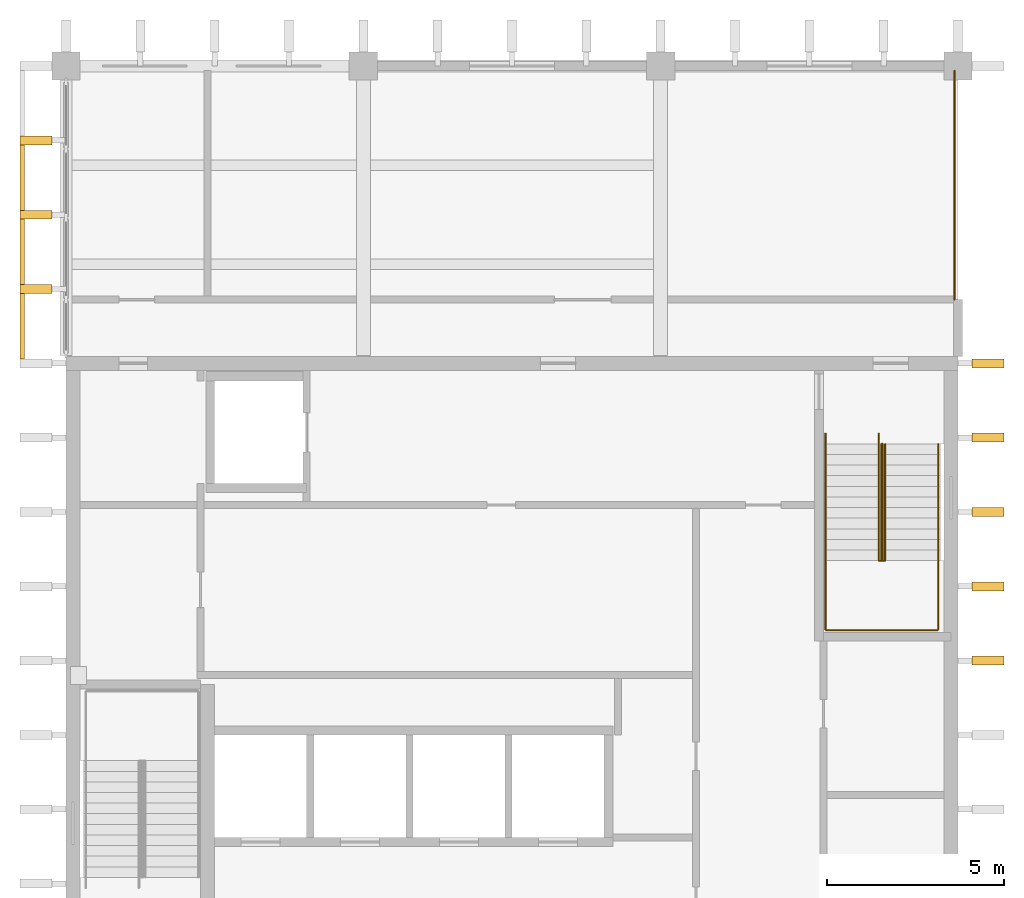
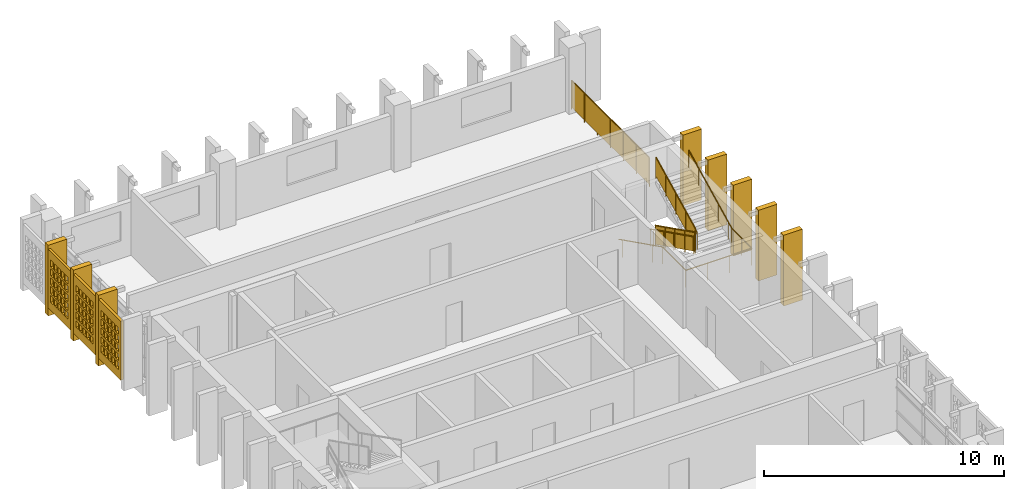
# One storey, part 11 of 13: 11 shading devices, 5 railings, 3 openings.
"""IFC4 building model written with IfcOpenShell, lengths in metres."""

from ifc_helpers import new_model, si_unit, direction, frame, origin, origin_2d, place, context, subcontext, project, spatial, polyline, rectangle, circle, outline, extrude, material, layer, layer_set, material_profile, profile_set, type_object, element, save


model = new_model("IFC4")

# Units and contexts
model_context = context("Model", 3, precision=1e-05, world=origin(), true_north=direction((0.0, 1.0)))
body_context = subcontext(model_context, "Body", "Model", "MODEL_VIEW")
ifc_project = project(units=[si_unit("LENGTHUNIT", "METRE"), si_unit("AREAUNIT", "SQUARE_METRE"), si_unit("VOLUMEUNIT", "CUBIC_METRE"), si_unit("PLANEANGLEUNIT", "RADIAN"), si_unit("MASSUNIT", "GRAM", prefix="KILO")], contexts=[model_context])

# Site, building, storey
site_placement = place(None, origin())
site = spatial("IfcSite", under=ifc_project, at=site_placement, CompositionType="ELEMENT")
building_placement = place(site_placement, origin())
building = spatial("IfcBuilding", under=site, at=building_placement, Name="Rulbaag Community and Learning Centre", CompositionType="ELEMENT")
storey_placement = place(building_placement, frame((0.0, 0.0, 39.60009765625)))
storey = spatial("IfcBuildingStorey", under=building, at=storey_placement, Name="L10", CompositionType="ELEMENT", Elevation=39.60009765625)

# Shading devices
ifc_material_1 = material(Name="Concrete M40", Category="concrete")
ifc_material_profile = material_profile(ifc_material_1, rectangle(XDim=0.25, YDim=0.89990234375, at=origin_2d()), Name="PC 250x900")
ifc_profile_set = profile_set([ifc_material_profile], Name="Concrete M40")
shading_device_type_1 = type_object("IfcShadingDeviceType", Name="FIN-H", PredefinedType="JALOUSIE", material=ifc_profile_set)
for number, where, z_axis, x_axis, name in (
    (1, (141.949951171875, 111.300048828125, 0.0), (0.0, 0.0, 1.0), (0.0, 1.0, 0.0), "Precast fin"),
    (2, (141.949951171875, 113.39990234375, 0.0), (0.0, 0.0, 1.0), (0.0, 1.0, 0.0), "Precast fin"),
    (3, (141.949951171875, 115.5, 0.0), (0.0, 0.0, 1.0), (0.0, 1.0, 0.0), "Precast fin"),
    (4, (168.85009765625, 100.800048828125, 0.0), (0.0, 0.0, 1.0), (0.0, 1.0, 0.0), "Precast fin"),
    (5, (168.85009765625, 102.89990234375, 0.0), (0.0, 0.0, 1.0), (0.0, 1.0, 0.0), "Precast fin"),
    (6, (168.85009765625, 105.0, 0.0), (0.0, 0.0, 1.0), (0.0, 1.0, 0.0), "Precast fin"),
    (7, (168.85009765625, 107.10009765625, 0.0), (0.0, 0.0, 1.0), (0.0, 1.0, 0.0), "Precast fin"),
    (8, (168.85009765625, 109.199951171875, 0.0), (0.0, 0.0, 1.0), (0.0, 1.0, 0.0), "Precast fin"),
):
    element("IfcShadingDevice", number, at=place(storey_placement, frame(where, z_axis=z_axis, x_axis=x_axis)), inside=storey, type_object=shading_device_type_1, Name=name, PredefinedType="JALOUSIE", context=body_context, shape_type="SweptSolid", body=[
        extrude(rectangle(XDim=0.25, YDim=0.89990234375, at=origin_2d()), origin(), (0.0, 0.0, 1.0), 3.599853515625),
    ])

# Railings
ifc_material_2 = material(Name="Galvanised mild steel", Category="steel")
railing_type_1 = type_object("IfcRailingType", Name="GR-1100 GUARD 1100", PredefinedType="GUARDRAIL", material=ifc_material_2)
railing_1_placement = place(storey_placement, frame((165.830078125, 106.925048828125, 0.14990234375)))
element("IfcRailing", 9, at=railing_1_placement, inside=storey, type_object=railing_type_1, Name="Guard ST2 L10 G", PredefinedType="GUARDRAIL", context=body_context, shape_type="SweptSolid", body=[
    extrude(circle(Radius=0.02490234375, at=origin_2d()), frame((0.0, 0.0, 1.0751953125), z_axis=(0.0, -0.894440424912, 0.447187126696), x_axis=(1.0, 0.0, 0.0)), (0.0, 0.0, 1.0), 3.689453125),
    extrude(circle(Radius=0.02001953125, at=origin_2d()), origin(), (0.0, 0.0, 1.0), 1.050048828125),
    extrude(circle(Radius=0.02001953125, at=origin_2d()), frame((0.0, -0.824951171875, 0.41259765625)), (0.0, 0.0, 1.0), 1.050048828125),
    extrude(circle(Radius=0.02001953125, at=origin_2d()), frame((0.0, -1.64990234375, 0.824951171875)), (0.0, 0.0, 1.0), 1.050048828125),
    extrude(circle(Radius=0.02001953125, at=origin_2d()), frame((0.0, -2.47509765625, 1.2373046875)), (0.0, 0.0, 1.0), 1.050048828125),
    extrude(circle(Radius=0.02001953125, at=origin_2d()), frame((0.0, -3.300048828125, 1.64990234375)), (0.0, 0.0, 1.0), 1.050048828125),
    extrude(outline(polyline([(0.0, 0.0), (3.300048828125, 1.64990234375), (3.300048828125, 2.599853515625), (0.0, 0.949951171875), (0.0, 0.0)])), frame((0.0048828125, 0.0, 0.10009765625), z_axis=(-1.0, 0.0, 0.0), x_axis=(0.0, -1.0, 0.0)), (0.0, 0.0, 1.0), 0.010009765625),
])
railing_2_placement = place(storey_placement, frame((165.8701171875, 103.625, 1.949951171875)))
element("IfcRailing", 10, at=railing_2_placement, inside=storey, type_object=railing_type_1, Name="Guard ST2 L10 G2", PredefinedType="GUARDRAIL", context=body_context, shape_type="SweptSolid", body=[
    extrude(circle(Radius=0.02490234375, at=origin_2d()), frame((0.0, 0.0, 1.0751953125), z_axis=(0.0, 0.894440424912, 0.447187126696), x_axis=(-1.0, 0.0, 0.0)), (0.0, 0.0, 1.0), 3.689453125),
    extrude(circle(Radius=0.02001953125, at=origin_2d()), origin(), (0.0, 0.0, 1.0), 1.050048828125),
    extrude(circle(Radius=0.02001953125, at=origin_2d()), frame((0.0, 0.824951171875, 0.41259765625)), (0.0, 0.0, 1.0), 1.050048828125),
    extrude(circle(Radius=0.02001953125, at=origin_2d()), frame((0.0, 1.64990234375, 0.824951171875)), (0.0, 0.0, 1.0), 1.050048828125),
    extrude(circle(Radius=0.02001953125, at=origin_2d()), frame((0.0, 2.47509765625, 1.2373046875)), (0.0, 0.0, 1.0), 1.050048828125),
    extrude(circle(Radius=0.02001953125, at=origin_2d()), frame((0.0, 3.300048828125, 1.64990234375)), (0.0, 0.0, 1.0), 1.050048828125),
    extrude(outline(polyline([(0.0, 0.0), (3.300048828125, 1.64990234375), (3.300048828125, 2.599853515625), (0.0, 0.949951171875), (0.0, 0.0)])), frame((-0.0048828125, 0.0, 0.10009765625), z_axis=(1.0, 0.0, 0.0), x_axis=(0.0, 1.0, 0.0)), (0.0, 0.0, 1.0), 0.010009765625),
])
ifc_material_3 = material(Name="Stainless steel grade 316", Category="steel")
railing_type_2 = type_object("IfcRailingType", Name="HR-900 HANDRAIL 900", PredefinedType="HANDRAIL", material=ifc_material_3)
railing_3_placement = place(storey_placement, frame((164.260009765625, 107.22509765625, 0.0)))
element("IfcRailing", 11, at=railing_3_placement, inside=storey, type_object=railing_type_2, Name="Handrail ST2 L10 O", PredefinedType="HANDRAIL", context=body_context, shape_type="SweptSolid", body=[
    extrude(circle(Radius=0.024169921875, at=origin_2d()), frame((0.0, 0.0, 0.875732421875), z_axis=(0.0, -0.894572720946, 0.446922417137), x_axis=(1.0, 0.0, 0.0)), (0.0, 0.0, 1.0), 0.33544921875),
    extrude(circle(Radius=0.024169921875, at=origin_2d()), frame((0.0, -0.300048828125, 1.025634765625), z_axis=(0.0, -0.894440424912, 0.447187126696), x_axis=(1.0, 0.0, 0.0)), (0.0, 0.0, 1.0), 3.689453125),
    extrude(circle(Radius=0.024169921875, at=origin_2d()), frame((0.0, -3.60009765625, 2.675537109375), z_axis=(0.0, -1.0, 0.0), x_axis=(1.0, 0.0, 0.0)), (0.0, 0.0, 1.0), 1.965087890625),
    extrude(circle(Radius=0.024169921875, at=origin_2d()), frame((0.0, -5.565185546875, 2.675537109375), z_axis=(1.0, 0.0, 0.0), x_axis=(0.0, 1.0, 0.0)), (0.0, 0.0, 1.0), 3.179931640625),
    extrude(circle(Radius=0.024169921875, at=origin_2d()), frame((3.179931640625, -5.565185546875, 2.675537109375), z_axis=(0.0, 1.0, 0.0), x_axis=(-1.0, 0.0, 0.0)), (0.0, 0.0, 1.0), 1.6650390625),
    extrude(circle(Radius=0.024169921875, at=origin_2d()), frame((3.179931640625, -3.900146484375, 2.675537109375), z_axis=(0.0, 0.894281613681, 0.447504631744), x_axis=(-1.0, 0.0, 0.0)), (0.0, 0.0, 1.0), 0.33544921875),
    extrude(circle(Radius=0.024169921875, at=origin_2d()), frame((3.179931640625, -3.60009765625, 2.82568359375), z_axis=(0.0, 0.894440424912, 0.447187126696), x_axis=(-1.0, 0.0, 0.0)), (0.0, 0.0, 1.0), 3.689453125),
    extrude(circle(Radius=0.008056640625, at=origin_2d()), origin(), (0.0, 0.0, 1.0), 0.8515625),
    extrude(circle(Radius=0.008056640625, at=origin_2d()), frame((0.0, -0.300048828125, 0.14990234375)), (0.0, 0.0, 1.0), 0.8515625),
    extrude(circle(Radius=0.008056640625, at=origin_2d()), frame((0.0, -1.125, 0.5625)), (0.0, 0.0, 1.0), 0.8515625),
    extrude(circle(Radius=0.008056640625, at=origin_2d()), frame((0.0, -1.9501953125, 0.974853515625)), (0.0, 0.0, 1.0), 0.8515625),
    extrude(circle(Radius=0.008056640625, at=origin_2d()), frame((0.0, -2.775146484375, 1.38720703125)), (0.0, 0.0, 1.0), 0.8515625),
    extrude(circle(Radius=0.008056640625, at=origin_2d()), frame((0.0, -3.60009765625, 1.7998046875)), (0.0, 0.0, 1.0), 0.8515625),
    extrude(circle(Radius=0.008056640625, at=origin_2d()), frame((0.0, -4.58251953125, 1.7998046875)), (0.0, 0.0, 1.0), 0.8515625),
    extrude(circle(Radius=0.008056640625, at=origin_2d()), frame((0.0, -5.565185546875, 1.7998046875)), (0.0, 0.0, 1.0), 0.8515625),
    extrude(circle(Radius=0.008056640625, at=origin_2d()), frame((1.06005859375, -5.565185546875, 1.7998046875)), (0.0, 0.0, 1.0), 0.8515625),
    extrude(circle(Radius=0.008056640625, at=origin_2d()), frame((2.119873046875, -5.565185546875, 1.7998046875)), (0.0, 0.0, 1.0), 0.8515625),
    extrude(circle(Radius=0.008056640625, at=origin_2d()), frame((3.179931640625, -5.565185546875, 1.7998046875)), (0.0, 0.0, 1.0), 0.8515625),
    extrude(circle(Radius=0.008056640625, at=origin_2d()), frame((3.179931640625, -4.732666015625, 1.7998046875)), (0.0, 0.0, 1.0), 0.8515625),
    extrude(circle(Radius=0.008056640625, at=origin_2d()), frame((3.179931640625, -3.900146484375, 1.7998046875)), (0.0, 0.0, 1.0), 0.8515625),
    extrude(circle(Radius=0.008056640625, at=origin_2d()), frame((3.179931640625, -3.60009765625, 1.949951171875)), (0.0, 0.0, 1.0), 0.8515625),
    extrude(circle(Radius=0.008056640625, at=origin_2d()), frame((3.179931640625, -2.775146484375, 2.3623046875)), (0.0, 0.0, 1.0), 0.8515625),
    extrude(circle(Radius=0.008056640625, at=origin_2d()), frame((3.179931640625, -1.9501953125, 2.77490234375)), (0.0, 0.0, 1.0), 0.8515625),
    extrude(circle(Radius=0.008056640625, at=origin_2d()), frame((3.179931640625, -1.125, 3.1875)), (0.0, 0.0, 1.0), 0.8515625),
    extrude(circle(Radius=0.008056640625, at=origin_2d()), frame((3.179931640625, -0.300048828125, 3.599853515625)), (0.0, 0.0, 1.0), 0.8515625),
])
railing_4_placement = place(storey_placement, frame((165.760009765625, 107.22509765625, 0.0)))
element("IfcRailing", 12, at=railing_4_placement, inside=storey, type_object=railing_type_2, Name="Handrail ST2 L10 I", PredefinedType="HANDRAIL", context=body_context, shape_type="SweptSolid", body=[
    extrude(circle(Radius=0.024169921875, at=origin_2d()), frame((0.0, 0.0, 0.875732421875), z_axis=(0.0, -0.894572720946, 0.446922417137), x_axis=(1.0, 0.0, 0.0)), (0.0, 0.0, 1.0), 0.33544921875),
    extrude(circle(Radius=0.024169921875, at=origin_2d()), frame((0.0, -0.300048828125, 1.025634765625), z_axis=(0.0, -0.894440424912, 0.447187126696), x_axis=(1.0, 0.0, 0.0)), (0.0, 0.0, 1.0), 3.689453125),
    extrude(circle(Radius=0.024169921875, at=origin_2d()), frame((0.0, -3.60009765625, 2.675537109375), z_axis=(0.767794148456, 0.0, 0.640696609634), x_axis=(0.0, 1.0, 0.0)), (0.0, 0.0, 1.0), 0.234375),
    extrude(circle(Radius=0.024169921875, at=origin_2d()), frame((0.179931640625, -3.60009765625, 2.82568359375), z_axis=(0.0, 0.894440424912, 0.447187126696), x_axis=(-1.0, 0.0, 0.0)), (0.0, 0.0, 1.0), 3.689453125),
    extrude(circle(Radius=0.008056640625, at=origin_2d()), origin(), (0.0, 0.0, 1.0), 0.8515625),
    extrude(circle(Radius=0.008056640625, at=origin_2d()), frame((0.0, -0.300048828125, 0.14990234375)), (0.0, 0.0, 1.0), 0.8515625),
    extrude(circle(Radius=0.008056640625, at=origin_2d()), frame((0.0, -1.125, 0.5625)), (0.0, 0.0, 1.0), 0.8515625),
    extrude(circle(Radius=0.008056640625, at=origin_2d()), frame((0.0, -1.9501953125, 0.974853515625)), (0.0, 0.0, 1.0), 0.8515625),
    extrude(circle(Radius=0.008056640625, at=origin_2d()), frame((0.0, -2.775146484375, 1.38720703125)), (0.0, 0.0, 1.0), 0.8515625),
    extrude(circle(Radius=0.008056640625, at=origin_2d()), frame((0.0, -3.60009765625, 1.7998046875)), (0.0, 0.0, 1.0), 0.8515625),
    extrude(circle(Radius=0.008056640625, at=origin_2d()), frame((0.179931640625, -3.60009765625, 1.949951171875)), (0.0, 0.0, 1.0), 0.8515625),
    extrude(circle(Radius=0.008056640625, at=origin_2d()), frame((0.179931640625, -2.775146484375, 2.3623046875)), (0.0, 0.0, 1.0), 0.8515625),
    extrude(circle(Radius=0.008056640625, at=origin_2d()), frame((0.179931640625, -1.9501953125, 2.77490234375)), (0.0, 0.0, 1.0), 0.8515625),
    extrude(circle(Radius=0.008056640625, at=origin_2d()), frame((0.179931640625, -1.125, 3.1875)), (0.0, 0.0, 1.0), 0.8515625),
    extrude(circle(Radius=0.008056640625, at=origin_2d()), frame((0.179931640625, -0.300048828125, 3.599853515625)), (0.0, 0.0, 1.0), 0.8515625),
])

# Shading device, opening
ifc_layer = layer(ifc_material_1, 0.1201171875)
ifc_layer_set = layer_set([ifc_layer], Name="JB-83")
shading_device_type_2 = type_object("IfcShadingDeviceType", Name="JB-83", PredefinedType="SHUTTER", material=ifc_layer_set)
shading_device_1_placement = place(storey_placement, frame((141.56005859375, 110.25, 0.39990234375), z_axis=(0.0, 0.0, 1.0), x_axis=(1.0, 0.0, 0.0)))
shading_device_1 = element("IfcShadingDevice", 13, at=shading_device_1_placement, inside=storey, type_object=shading_device_type_2, Name="Jaali screen", PredefinedType="SHUTTER", context=body_context, shape_type="SweptSolid", body=[
    extrude(rectangle(XDim=0.1201171875, YDim=1.85009765625, at=origin_2d()), origin(), (0.0, 0.0, 1.0), 3.0),
])
opening_1_placement = place(shading_device_1_placement, origin())
element("IfcOpeningElement", 14, at=opening_1_placement, cuts=shading_device_1, Name="Perforation JB1", PredefinedType="OPENING", context=body_context, shape_type="SweptSolid", body=[
    extrude(rectangle(XDim=0.22509765625, YDim=0.340087890625, at=origin_2d()), frame((-0.070068359375, -0.60009765625, 0.60009765625), z_axis=(1.0, 0.0, 0.0), x_axis=(0.0, 1.0, 0.0)), (0.0, 0.0, 1.0), 0.139892578125),
    extrude(rectangle(XDim=0.22509765625, YDim=0.340087890625, at=origin_2d()), frame((-0.070068359375, -0.300048828125, 0.60009765625), z_axis=(1.0, 0.0, 0.0), x_axis=(0.0, 1.0, 0.0)), (0.0, 0.0, 1.0), 0.139892578125),
    extrude(rectangle(XDim=0.22509765625, YDim=0.340087890625, at=origin_2d()), frame((-0.070068359375, 0.0, 0.60009765625), z_axis=(1.0, 0.0, 0.0), x_axis=(0.0, 1.0, 0.0)), (0.0, 0.0, 1.0), 0.139892578125),
    extrude(rectangle(XDim=0.22509765625, YDim=0.340087890625, at=origin_2d()), frame((-0.070068359375, 0.300048828125, 0.60009765625), z_axis=(1.0, 0.0, 0.0), x_axis=(0.0, 1.0, 0.0)), (0.0, 0.0, 1.0), 0.139892578125),
    extrude(rectangle(XDim=0.22509765625, YDim=0.340087890625, at=origin_2d()), frame((-0.070068359375, 0.60009765625, 0.60009765625), z_axis=(1.0, 0.0, 0.0), x_axis=(0.0, 1.0, 0.0)), (0.0, 0.0, 1.0), 0.139892578125),
    extrude(rectangle(XDim=0.22509765625, YDim=0.340087890625, at=origin_2d()), frame((-0.070068359375, -0.60009765625, 1.050048828125), z_axis=(1.0, 0.0, 0.0), x_axis=(0.0, 1.0, 0.0)), (0.0, 0.0, 1.0), 0.139892578125),
    extrude(rectangle(XDim=0.22509765625, YDim=0.340087890625, at=origin_2d()), frame((-0.070068359375, -0.300048828125, 1.050048828125), z_axis=(1.0, 0.0, 0.0), x_axis=(0.0, 1.0, 0.0)), (0.0, 0.0, 1.0), 0.139892578125),
    extrude(rectangle(XDim=0.22509765625, YDim=0.340087890625, at=origin_2d()), frame((-0.070068359375, 0.0, 1.050048828125), z_axis=(1.0, 0.0, 0.0), x_axis=(0.0, 1.0, 0.0)), (0.0, 0.0, 1.0), 0.139892578125),
    extrude(rectangle(XDim=0.22509765625, YDim=0.340087890625, at=origin_2d()), frame((-0.070068359375, 0.300048828125, 1.050048828125), z_axis=(1.0, 0.0, 0.0), x_axis=(0.0, 1.0, 0.0)), (0.0, 0.0, 1.0), 0.139892578125),
    extrude(rectangle(XDim=0.22509765625, YDim=0.340087890625, at=origin_2d()), frame((-0.070068359375, 0.60009765625, 1.050048828125), z_axis=(1.0, 0.0, 0.0), x_axis=(0.0, 1.0, 0.0)), (0.0, 0.0, 1.0), 0.139892578125),
    extrude(rectangle(XDim=0.22509765625, YDim=0.340087890625, at=origin_2d()), frame((-0.070068359375, -0.60009765625, 1.5), z_axis=(1.0, 0.0, 0.0), x_axis=(0.0, 1.0, 0.0)), (0.0, 0.0, 1.0), 0.139892578125),
    extrude(rectangle(XDim=0.22509765625, YDim=0.340087890625, at=origin_2d()), frame((-0.070068359375, -0.300048828125, 1.5), z_axis=(1.0, 0.0, 0.0), x_axis=(0.0, 1.0, 0.0)), (0.0, 0.0, 1.0), 0.139892578125),
    extrude(rectangle(XDim=0.22509765625, YDim=0.340087890625, at=origin_2d()), frame((-0.070068359375, 0.0, 1.5), z_axis=(1.0, 0.0, 0.0), x_axis=(0.0, 1.0, 0.0)), (0.0, 0.0, 1.0), 0.139892578125),
    extrude(rectangle(XDim=0.22509765625, YDim=0.340087890625, at=origin_2d()), frame((-0.070068359375, 0.300048828125, 1.5), z_axis=(1.0, 0.0, 0.0), x_axis=(0.0, 1.0, 0.0)), (0.0, 0.0, 1.0), 0.139892578125),
    extrude(rectangle(XDim=0.22509765625, YDim=0.340087890625, at=origin_2d()), frame((-0.070068359375, 0.60009765625, 1.5), z_axis=(1.0, 0.0, 0.0), x_axis=(0.0, 1.0, 0.0)), (0.0, 0.0, 1.0), 0.139892578125),
    extrude(rectangle(XDim=0.22509765625, YDim=0.340087890625, at=origin_2d()), frame((-0.070068359375, -0.60009765625, 1.949951171875), z_axis=(1.0, 0.0, 0.0), x_axis=(0.0, 1.0, 0.0)), (0.0, 0.0, 1.0), 0.139892578125),
    extrude(rectangle(XDim=0.22509765625, YDim=0.340087890625, at=origin_2d()), frame((-0.070068359375, -0.300048828125, 1.949951171875), z_axis=(1.0, 0.0, 0.0), x_axis=(0.0, 1.0, 0.0)), (0.0, 0.0, 1.0), 0.139892578125),
    extrude(rectangle(XDim=0.22509765625, YDim=0.340087890625, at=origin_2d()), frame((-0.070068359375, 0.0, 1.949951171875), z_axis=(1.0, 0.0, 0.0), x_axis=(0.0, 1.0, 0.0)), (0.0, 0.0, 1.0), 0.139892578125),
    extrude(rectangle(XDim=0.22509765625, YDim=0.340087890625, at=origin_2d()), frame((-0.070068359375, 0.300048828125, 1.949951171875), z_axis=(1.0, 0.0, 0.0), x_axis=(0.0, 1.0, 0.0)), (0.0, 0.0, 1.0), 0.139892578125),
    extrude(rectangle(XDim=0.22509765625, YDim=0.340087890625, at=origin_2d()), frame((-0.070068359375, 0.60009765625, 1.949951171875), z_axis=(1.0, 0.0, 0.0), x_axis=(0.0, 1.0, 0.0)), (0.0, 0.0, 1.0), 0.139892578125),
    extrude(rectangle(XDim=0.22509765625, YDim=0.340087890625, at=origin_2d()), frame((-0.070068359375, -0.60009765625, 2.39990234375), z_axis=(1.0, 0.0, 0.0), x_axis=(0.0, 1.0, 0.0)), (0.0, 0.0, 1.0), 0.139892578125),
    extrude(rectangle(XDim=0.22509765625, YDim=0.340087890625, at=origin_2d()), frame((-0.070068359375, -0.300048828125, 2.39990234375), z_axis=(1.0, 0.0, 0.0), x_axis=(0.0, 1.0, 0.0)), (0.0, 0.0, 1.0), 0.139892578125),
    extrude(rectangle(XDim=0.22509765625, YDim=0.340087890625, at=origin_2d()), frame((-0.070068359375, 0.0, 2.39990234375), z_axis=(1.0, 0.0, 0.0), x_axis=(0.0, 1.0, 0.0)), (0.0, 0.0, 1.0), 0.139892578125),
    extrude(rectangle(XDim=0.22509765625, YDim=0.340087890625, at=origin_2d()), frame((-0.070068359375, 0.300048828125, 2.39990234375), z_axis=(1.0, 0.0, 0.0), x_axis=(0.0, 1.0, 0.0)), (0.0, 0.0, 1.0), 0.139892578125),
    extrude(rectangle(XDim=0.22509765625, YDim=0.340087890625, at=origin_2d()), frame((-0.070068359375, 0.60009765625, 2.39990234375), z_axis=(1.0, 0.0, 0.0), x_axis=(0.0, 1.0, 0.0)), (0.0, 0.0, 1.0), 0.139892578125),
])

shading_device_2_placement = place(storey_placement, frame((141.56005859375, 112.35009765625, 0.39990234375), z_axis=(0.0, 0.0, 1.0), x_axis=(1.0, 0.0, 0.0)))
shading_device_2 = element("IfcShadingDevice", 15, at=shading_device_2_placement, inside=storey, type_object=shading_device_type_2, Name="Jaali screen", PredefinedType="SHUTTER", context=body_context, shape_type="SweptSolid", body=[
    extrude(rectangle(XDim=0.1201171875, YDim=1.85009765625, at=origin_2d()), origin(), (0.0, 0.0, 1.0), 3.0),
])
opening_2_placement = place(shading_device_2_placement, origin())
element("IfcOpeningElement", 16, at=opening_2_placement, cuts=shading_device_2, Name="Perforation JB1", PredefinedType="OPENING", context=body_context, shape_type="SweptSolid", body=[
    extrude(rectangle(XDim=0.22509765625, YDim=0.340087890625, at=origin_2d()), frame((-0.070068359375, -0.60009765625, 0.60009765625), z_axis=(1.0, 0.0, 0.0), x_axis=(0.0, 1.0, 0.0)), (0.0, 0.0, 1.0), 0.139892578125),
    extrude(rectangle(XDim=0.22509765625, YDim=0.340087890625, at=origin_2d()), frame((-0.070068359375, -0.300048828125, 0.60009765625), z_axis=(1.0, 0.0, 0.0), x_axis=(0.0, 1.0, 0.0)), (0.0, 0.0, 1.0), 0.139892578125),
    extrude(rectangle(XDim=0.22509765625, YDim=0.340087890625, at=origin_2d()), frame((-0.070068359375, 0.0, 0.60009765625), z_axis=(1.0, 0.0, 0.0), x_axis=(0.0, 1.0, 0.0)), (0.0, 0.0, 1.0), 0.139892578125),
    extrude(rectangle(XDim=0.22509765625, YDim=0.340087890625, at=origin_2d()), frame((-0.070068359375, 0.300048828125, 0.60009765625), z_axis=(1.0, 0.0, 0.0), x_axis=(0.0, 1.0, 0.0)), (0.0, 0.0, 1.0), 0.139892578125),
    extrude(rectangle(XDim=0.22509765625, YDim=0.340087890625, at=origin_2d()), frame((-0.070068359375, 0.60009765625, 0.60009765625), z_axis=(1.0, 0.0, 0.0), x_axis=(0.0, 1.0, 0.0)), (0.0, 0.0, 1.0), 0.139892578125),
    extrude(rectangle(XDim=0.22509765625, YDim=0.340087890625, at=origin_2d()), frame((-0.070068359375, -0.60009765625, 1.050048828125), z_axis=(1.0, 0.0, 0.0), x_axis=(0.0, 1.0, 0.0)), (0.0, 0.0, 1.0), 0.139892578125),
    extrude(rectangle(XDim=0.22509765625, YDim=0.340087890625, at=origin_2d()), frame((-0.070068359375, -0.300048828125, 1.050048828125), z_axis=(1.0, 0.0, 0.0), x_axis=(0.0, 1.0, 0.0)), (0.0, 0.0, 1.0), 0.139892578125),
    extrude(rectangle(XDim=0.22509765625, YDim=0.340087890625, at=origin_2d()), frame((-0.070068359375, 0.0, 1.050048828125), z_axis=(1.0, 0.0, 0.0), x_axis=(0.0, 1.0, 0.0)), (0.0, 0.0, 1.0), 0.139892578125),
    extrude(rectangle(XDim=0.22509765625, YDim=0.340087890625, at=origin_2d()), frame((-0.070068359375, 0.300048828125, 1.050048828125), z_axis=(1.0, 0.0, 0.0), x_axis=(0.0, 1.0, 0.0)), (0.0, 0.0, 1.0), 0.139892578125),
    extrude(rectangle(XDim=0.22509765625, YDim=0.340087890625, at=origin_2d()), frame((-0.070068359375, 0.60009765625, 1.050048828125), z_axis=(1.0, 0.0, 0.0), x_axis=(0.0, 1.0, 0.0)), (0.0, 0.0, 1.0), 0.139892578125),
    extrude(rectangle(XDim=0.22509765625, YDim=0.340087890625, at=origin_2d()), frame((-0.070068359375, -0.60009765625, 1.5), z_axis=(1.0, 0.0, 0.0), x_axis=(0.0, 1.0, 0.0)), (0.0, 0.0, 1.0), 0.139892578125),
    extrude(rectangle(XDim=0.22509765625, YDim=0.340087890625, at=origin_2d()), frame((-0.070068359375, -0.300048828125, 1.5), z_axis=(1.0, 0.0, 0.0), x_axis=(0.0, 1.0, 0.0)), (0.0, 0.0, 1.0), 0.139892578125),
    extrude(rectangle(XDim=0.22509765625, YDim=0.340087890625, at=origin_2d()), frame((-0.070068359375, 0.0, 1.5), z_axis=(1.0, 0.0, 0.0), x_axis=(0.0, 1.0, 0.0)), (0.0, 0.0, 1.0), 0.139892578125),
    extrude(rectangle(XDim=0.22509765625, YDim=0.340087890625, at=origin_2d()), frame((-0.070068359375, 0.300048828125, 1.5), z_axis=(1.0, 0.0, 0.0), x_axis=(0.0, 1.0, 0.0)), (0.0, 0.0, 1.0), 0.139892578125),
    extrude(rectangle(XDim=0.22509765625, YDim=0.340087890625, at=origin_2d()), frame((-0.070068359375, 0.60009765625, 1.5), z_axis=(1.0, 0.0, 0.0), x_axis=(0.0, 1.0, 0.0)), (0.0, 0.0, 1.0), 0.139892578125),
    extrude(rectangle(XDim=0.22509765625, YDim=0.340087890625, at=origin_2d()), frame((-0.070068359375, -0.60009765625, 1.949951171875), z_axis=(1.0, 0.0, 0.0), x_axis=(0.0, 1.0, 0.0)), (0.0, 0.0, 1.0), 0.139892578125),
    extrude(rectangle(XDim=0.22509765625, YDim=0.340087890625, at=origin_2d()), frame((-0.070068359375, -0.300048828125, 1.949951171875), z_axis=(1.0, 0.0, 0.0), x_axis=(0.0, 1.0, 0.0)), (0.0, 0.0, 1.0), 0.139892578125),
    extrude(rectangle(XDim=0.22509765625, YDim=0.340087890625, at=origin_2d()), frame((-0.070068359375, 0.0, 1.949951171875), z_axis=(1.0, 0.0, 0.0), x_axis=(0.0, 1.0, 0.0)), (0.0, 0.0, 1.0), 0.139892578125),
    extrude(rectangle(XDim=0.22509765625, YDim=0.340087890625, at=origin_2d()), frame((-0.070068359375, 0.300048828125, 1.949951171875), z_axis=(1.0, 0.0, 0.0), x_axis=(0.0, 1.0, 0.0)), (0.0, 0.0, 1.0), 0.139892578125),
    extrude(rectangle(XDim=0.22509765625, YDim=0.340087890625, at=origin_2d()), frame((-0.070068359375, 0.60009765625, 1.949951171875), z_axis=(1.0, 0.0, 0.0), x_axis=(0.0, 1.0, 0.0)), (0.0, 0.0, 1.0), 0.139892578125),
    extrude(rectangle(XDim=0.22509765625, YDim=0.340087890625, at=origin_2d()), frame((-0.070068359375, -0.60009765625, 2.39990234375), z_axis=(1.0, 0.0, 0.0), x_axis=(0.0, 1.0, 0.0)), (0.0, 0.0, 1.0), 0.139892578125),
    extrude(rectangle(XDim=0.22509765625, YDim=0.340087890625, at=origin_2d()), frame((-0.070068359375, -0.300048828125, 2.39990234375), z_axis=(1.0, 0.0, 0.0), x_axis=(0.0, 1.0, 0.0)), (0.0, 0.0, 1.0), 0.139892578125),
    extrude(rectangle(XDim=0.22509765625, YDim=0.340087890625, at=origin_2d()), frame((-0.070068359375, 0.0, 2.39990234375), z_axis=(1.0, 0.0, 0.0), x_axis=(0.0, 1.0, 0.0)), (0.0, 0.0, 1.0), 0.139892578125),
    extrude(rectangle(XDim=0.22509765625, YDim=0.340087890625, at=origin_2d()), frame((-0.070068359375, 0.300048828125, 2.39990234375), z_axis=(1.0, 0.0, 0.0), x_axis=(0.0, 1.0, 0.0)), (0.0, 0.0, 1.0), 0.139892578125),
    extrude(rectangle(XDim=0.22509765625, YDim=0.340087890625, at=origin_2d()), frame((-0.070068359375, 0.60009765625, 2.39990234375), z_axis=(1.0, 0.0, 0.0), x_axis=(0.0, 1.0, 0.0)), (0.0, 0.0, 1.0), 0.139892578125),
])

shading_device_3_placement = place(storey_placement, frame((141.56005859375, 114.449951171875, 0.39990234375), z_axis=(0.0, 0.0, 1.0), x_axis=(1.0, 0.0, 0.0)))
shading_device_3 = element("IfcShadingDevice", 17, at=shading_device_3_placement, inside=storey, type_object=shading_device_type_2, Name="Jaali screen", PredefinedType="SHUTTER", context=body_context, shape_type="SweptSolid", body=[
    extrude(rectangle(XDim=0.1201171875, YDim=1.85009765625, at=origin_2d()), origin(), (0.0, 0.0, 1.0), 3.0),
])
opening_3_placement = place(shading_device_3_placement, origin())
element("IfcOpeningElement", 18, at=opening_3_placement, cuts=shading_device_3, Name="Perforation JB1", PredefinedType="OPENING", context=body_context, shape_type="SweptSolid", body=[
    extrude(rectangle(XDim=0.22509765625, YDim=0.340087890625, at=origin_2d()), frame((-0.070068359375, -0.60009765625, 0.60009765625), z_axis=(1.0, 0.0, 0.0), x_axis=(0.0, 1.0, 0.0)), (0.0, 0.0, 1.0), 0.139892578125),
    extrude(rectangle(XDim=0.22509765625, YDim=0.340087890625, at=origin_2d()), frame((-0.070068359375, -0.300048828125, 0.60009765625), z_axis=(1.0, 0.0, 0.0), x_axis=(0.0, 1.0, 0.0)), (0.0, 0.0, 1.0), 0.139892578125),
    extrude(rectangle(XDim=0.22509765625, YDim=0.340087890625, at=origin_2d()), frame((-0.070068359375, 0.0, 0.60009765625), z_axis=(1.0, 0.0, 0.0), x_axis=(0.0, 1.0, 0.0)), (0.0, 0.0, 1.0), 0.139892578125),
    extrude(rectangle(XDim=0.22509765625, YDim=0.340087890625, at=origin_2d()), frame((-0.070068359375, 0.300048828125, 0.60009765625), z_axis=(1.0, 0.0, 0.0), x_axis=(0.0, 1.0, 0.0)), (0.0, 0.0, 1.0), 0.139892578125),
    extrude(rectangle(XDim=0.22509765625, YDim=0.340087890625, at=origin_2d()), frame((-0.070068359375, 0.60009765625, 0.60009765625), z_axis=(1.0, 0.0, 0.0), x_axis=(0.0, 1.0, 0.0)), (0.0, 0.0, 1.0), 0.139892578125),
    extrude(rectangle(XDim=0.22509765625, YDim=0.340087890625, at=origin_2d()), frame((-0.070068359375, -0.60009765625, 1.050048828125), z_axis=(1.0, 0.0, 0.0), x_axis=(0.0, 1.0, 0.0)), (0.0, 0.0, 1.0), 0.139892578125),
    extrude(rectangle(XDim=0.22509765625, YDim=0.340087890625, at=origin_2d()), frame((-0.070068359375, -0.300048828125, 1.050048828125), z_axis=(1.0, 0.0, 0.0), x_axis=(0.0, 1.0, 0.0)), (0.0, 0.0, 1.0), 0.139892578125),
    extrude(rectangle(XDim=0.22509765625, YDim=0.340087890625, at=origin_2d()), frame((-0.070068359375, 0.0, 1.050048828125), z_axis=(1.0, 0.0, 0.0), x_axis=(0.0, 1.0, 0.0)), (0.0, 0.0, 1.0), 0.139892578125),
    extrude(rectangle(XDim=0.22509765625, YDim=0.340087890625, at=origin_2d()), frame((-0.070068359375, 0.300048828125, 1.050048828125), z_axis=(1.0, 0.0, 0.0), x_axis=(0.0, 1.0, 0.0)), (0.0, 0.0, 1.0), 0.139892578125),
    extrude(rectangle(XDim=0.22509765625, YDim=0.340087890625, at=origin_2d()), frame((-0.070068359375, 0.60009765625, 1.050048828125), z_axis=(1.0, 0.0, 0.0), x_axis=(0.0, 1.0, 0.0)), (0.0, 0.0, 1.0), 0.139892578125),
    extrude(rectangle(XDim=0.22509765625, YDim=0.340087890625, at=origin_2d()), frame((-0.070068359375, -0.60009765625, 1.5), z_axis=(1.0, 0.0, 0.0), x_axis=(0.0, 1.0, 0.0)), (0.0, 0.0, 1.0), 0.139892578125),
    extrude(rectangle(XDim=0.22509765625, YDim=0.340087890625, at=origin_2d()), frame((-0.070068359375, -0.300048828125, 1.5), z_axis=(1.0, 0.0, 0.0), x_axis=(0.0, 1.0, 0.0)), (0.0, 0.0, 1.0), 0.139892578125),
    extrude(rectangle(XDim=0.22509765625, YDim=0.340087890625, at=origin_2d()), frame((-0.070068359375, 0.0, 1.5), z_axis=(1.0, 0.0, 0.0), x_axis=(0.0, 1.0, 0.0)), (0.0, 0.0, 1.0), 0.139892578125),
    extrude(rectangle(XDim=0.22509765625, YDim=0.340087890625, at=origin_2d()), frame((-0.070068359375, 0.300048828125, 1.5), z_axis=(1.0, 0.0, 0.0), x_axis=(0.0, 1.0, 0.0)), (0.0, 0.0, 1.0), 0.139892578125),
    extrude(rectangle(XDim=0.22509765625, YDim=0.340087890625, at=origin_2d()), frame((-0.070068359375, 0.60009765625, 1.5), z_axis=(1.0, 0.0, 0.0), x_axis=(0.0, 1.0, 0.0)), (0.0, 0.0, 1.0), 0.139892578125),
    extrude(rectangle(XDim=0.22509765625, YDim=0.340087890625, at=origin_2d()), frame((-0.070068359375, -0.60009765625, 1.949951171875), z_axis=(1.0, 0.0, 0.0), x_axis=(0.0, 1.0, 0.0)), (0.0, 0.0, 1.0), 0.139892578125),
    extrude(rectangle(XDim=0.22509765625, YDim=0.340087890625, at=origin_2d()), frame((-0.070068359375, -0.300048828125, 1.949951171875), z_axis=(1.0, 0.0, 0.0), x_axis=(0.0, 1.0, 0.0)), (0.0, 0.0, 1.0), 0.139892578125),
    extrude(rectangle(XDim=0.22509765625, YDim=0.340087890625, at=origin_2d()), frame((-0.070068359375, 0.0, 1.949951171875), z_axis=(1.0, 0.0, 0.0), x_axis=(0.0, 1.0, 0.0)), (0.0, 0.0, 1.0), 0.139892578125),
    extrude(rectangle(XDim=0.22509765625, YDim=0.340087890625, at=origin_2d()), frame((-0.070068359375, 0.300048828125, 1.949951171875), z_axis=(1.0, 0.0, 0.0), x_axis=(0.0, 1.0, 0.0)), (0.0, 0.0, 1.0), 0.139892578125),
    extrude(rectangle(XDim=0.22509765625, YDim=0.340087890625, at=origin_2d()), frame((-0.070068359375, 0.60009765625, 1.949951171875), z_axis=(1.0, 0.0, 0.0), x_axis=(0.0, 1.0, 0.0)), (0.0, 0.0, 1.0), 0.139892578125),
    extrude(rectangle(XDim=0.22509765625, YDim=0.340087890625, at=origin_2d()), frame((-0.070068359375, -0.60009765625, 2.39990234375), z_axis=(1.0, 0.0, 0.0), x_axis=(0.0, 1.0, 0.0)), (0.0, 0.0, 1.0), 0.139892578125),
    extrude(rectangle(XDim=0.22509765625, YDim=0.340087890625, at=origin_2d()), frame((-0.070068359375, -0.300048828125, 2.39990234375), z_axis=(1.0, 0.0, 0.0), x_axis=(0.0, 1.0, 0.0)), (0.0, 0.0, 1.0), 0.139892578125),
    extrude(rectangle(XDim=0.22509765625, YDim=0.340087890625, at=origin_2d()), frame((-0.070068359375, 0.0, 2.39990234375), z_axis=(1.0, 0.0, 0.0), x_axis=(0.0, 1.0, 0.0)), (0.0, 0.0, 1.0), 0.139892578125),
    extrude(rectangle(XDim=0.22509765625, YDim=0.340087890625, at=origin_2d()), frame((-0.070068359375, 0.300048828125, 2.39990234375), z_axis=(1.0, 0.0, 0.0), x_axis=(0.0, 1.0, 0.0)), (0.0, 0.0, 1.0), 0.139892578125),
    extrude(rectangle(XDim=0.22509765625, YDim=0.340087890625, at=origin_2d()), frame((-0.070068359375, 0.60009765625, 2.39990234375), z_axis=(1.0, 0.0, 0.0), x_axis=(0.0, 1.0, 0.0)), (0.0, 0.0, 1.0), 0.139892578125),
])

# Railing
railing_type_3 = type_object("IfcRailingType", Name="RL-150", PredefinedType="GUARDRAIL", material=ifc_material_2)
railing_5_placement = place(storey_placement, frame((167.89990234375, 111.0, 0.0)))
element("IfcRailing", 19, at=railing_5_placement, inside=storey, type_object=railing_type_3, Name="Refuge guard", PredefinedType="GUARDRAIL", context=body_context, shape_type="SweptSolid", body=[
    extrude(circle(Radius=0.02490234375, at=origin_2d()), frame((0.0, 0.0, 1.47509765625), z_axis=(0.0, 1.0, 0.0), x_axis=(-1.0, 0.0, 0.0)), (0.0, 0.0, 1.0), 6.47509765625),
    extrude(circle(Radius=0.02001953125, at=origin_2d()), origin(), (0.0, 0.0, 1.0), 1.449951171875),
    extrude(circle(Radius=0.02001953125, at=origin_2d()), frame((0.0, 1.0791015625, 0.0)), (0.0, 0.0, 1.0), 1.449951171875),
    extrude(circle(Radius=0.02001953125, at=origin_2d()), frame((0.0, 2.158447265625, 0.0)), (0.0, 0.0, 1.0), 1.449951171875),
    extrude(circle(Radius=0.02001953125, at=origin_2d()), frame((0.0, 3.237548828125, 0.0)), (0.0, 0.0, 1.0), 1.449951171875),
    extrude(circle(Radius=0.02001953125, at=origin_2d()), frame((0.0, 4.316650390625, 0.0)), (0.0, 0.0, 1.0), 1.449951171875),
    extrude(circle(Radius=0.02001953125, at=origin_2d()), frame((0.0, 5.39599609375, 0.0)), (0.0, 0.0, 1.0), 1.449951171875),
    extrude(circle(Radius=0.02001953125, at=origin_2d()), frame((0.0, 6.47509765625, 0.0)), (0.0, 0.0, 1.0), 1.449951171875),
    extrude(outline(polyline([(0.0, 0.0), (6.47509765625, 0.0), (6.47509765625, 1.349853515625), (0.0, 1.349853515625), (0.0, 0.0)])), frame((-0.0048828125, 0.0, 0.10009765625), z_axis=(1.0, 0.0, 0.0), x_axis=(0.0, 1.0, 0.0)), (0.0, 0.0, 1.0), 0.010009765625),
])

save(model, "model.ifc")
